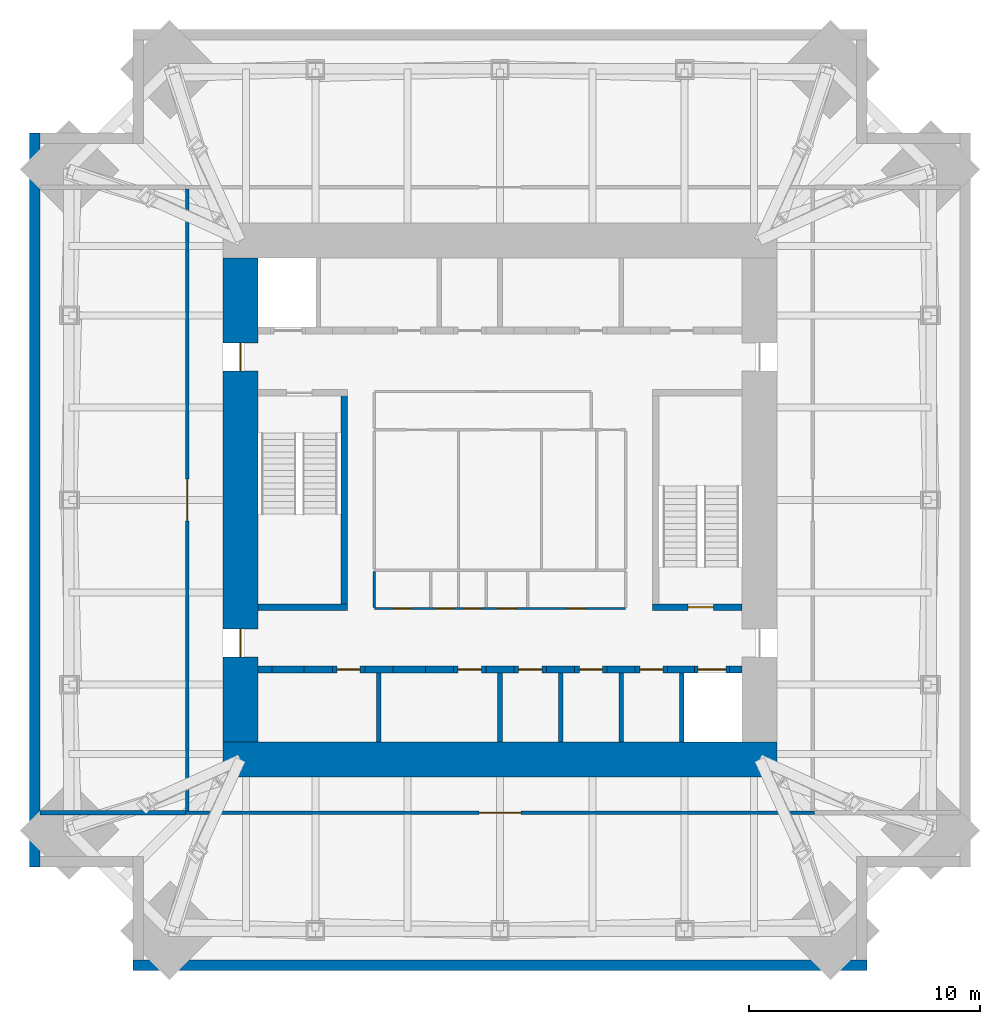
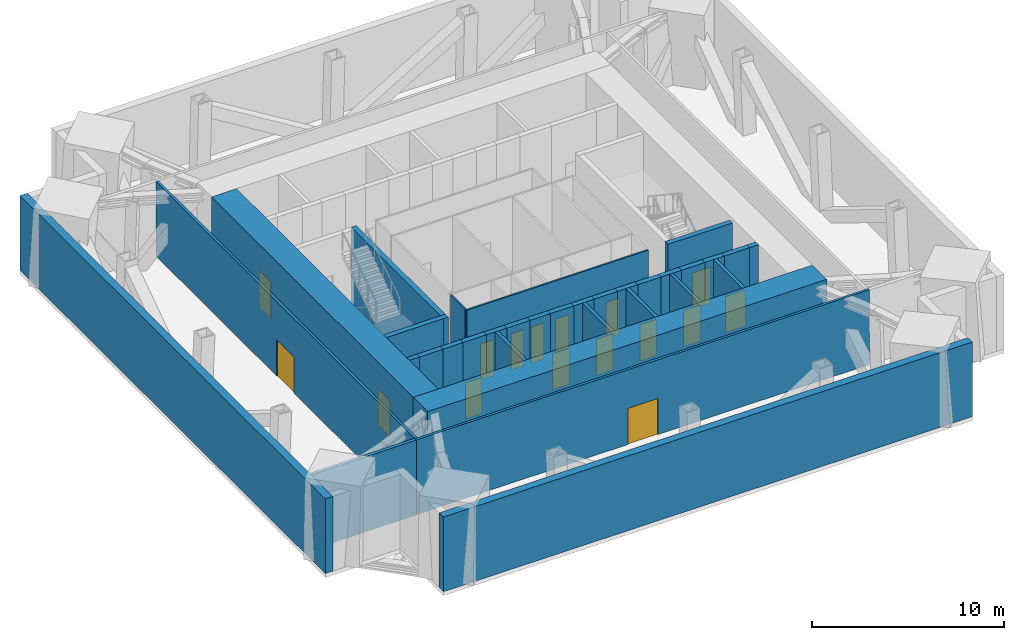
# One storey, part 3 of 6: 34 walls, 16 doors, 16 openings.
"""IFC4 building model written with IfcOpenShell, lengths in metres."""

from ifc_helpers import new_model, si_unit, direction, frame, frame_2d, origin, place, context, subcontext, project, spatial, rectangle, extrude, material, layer, layer_set, type_object, element, fill, save


model = new_model("IFC4")

# Units and contexts
model_context = context("Model", 3, precision=1e-05, world=origin(), true_north=direction((0.0, 1.0)))
body_context = subcontext(model_context, "Body", "Model", "MODEL_VIEW")
ifc_project = project(units=[si_unit("LENGTHUNIT", "METRE"), si_unit("AREAUNIT", "SQUARE_METRE"), si_unit("VOLUMEUNIT", "CUBIC_METRE"), si_unit("PLANEANGLEUNIT", "RADIAN"), si_unit("MASSUNIT", "GRAM", prefix="KILO")], contexts=[model_context])

# Site, building, storey
site_placement = place(None, origin())
site = spatial("IfcSite", under=ifc_project, at=site_placement, CompositionType="ELEMENT")
building_placement = place(site_placement, origin())
building = spatial("IfcBuilding", under=site, at=building_placement, Name="Peilmerk Tower", CompositionType="ELEMENT")
storey_placement = place(building_placement, frame((0.0, 0.0, 302.800048828125)))
storey = spatial("IfcBuildingStorey", under=building, at=storey_placement, Name="L68", CompositionType="ELEMENT", Elevation=302.800048828125)

# Walls
ifc_material_1 = material(Name="Precast concrete C45/55, board-marked finish", Category="concrete")
ifc_layer_1 = layer(ifc_material_1, 0.449951171875)
ifc_layer_set_1 = layer_set([ifc_layer_1], Name="Precast concrete C45/55, board-marked finish")
wall_type_1 = type_object("IfcWallType", Name="EW1 450 precast concrete facade wall, board-marked", PredefinedType="SOLIDWALL", material=ifc_layer_set_1)
for number, where, z_axis, x_axis, name in (
    (1, (-15.89990234375, -20.175048828125, 0.0), (0.0, 0.0, 1.0), (1.0, 0.0, 0.0), "Facade wall S L68"),
    (2, (-20.175048828125, 15.89990234375, 0.0), (0.0, 0.0, 1.0), (0.0, -1.0, 0.0), "Facade wall W L68"),
):
    element("IfcWall", number, at=place(storey_placement, frame(where, z_axis=z_axis, x_axis=x_axis)), inside=storey, type_object=wall_type_1, Name=name, PredefinedType="SOLIDWALL", context=body_context, shape_type="SweptSolid", body=[
        extrude(rectangle(XDim=31.7998046875, YDim=0.449951171875, at=frame_2d((15.89990234375, 0.0))), origin(), (0.0, 0.0, 1.0), 4.75),
    ])

# Wall, opening, door
ifc_material_2 = material(Name="Calcium silicate block", Category="masonry")
ifc_layer_2 = layer(ifc_material_2, 0.14990234375)
ifc_layer_set_2 = layer_set([ifc_layer_2], Name="Calcium silicate block")
wall_type_2 = type_object("IfcWallType", Name="IW1 150 corridor partition, EI 60", PredefinedType="PARTITIONING", material=ifc_layer_set_2)
wall_1_placement = place(storey_placement, frame((13.625, -13.550048828125, 0.0), z_axis=(0.0, 0.0, 1.0), x_axis=(-1.0, 0.0, 0.0)))
wall_1 = element("IfcWall", 3, at=wall_1_placement, inside=storey, type_object=wall_type_2, Name="Corridor wall S L68", PredefinedType="PARTITIONING", context=body_context, shape_type="SweptSolid", body=[
    extrude(rectangle(XDim=27.25, YDim=0.14990234375, at=frame_2d((13.625, 0.0))), origin(), (0.0, 0.0, 1.0), 4.75),
])
opening_1_placement = place(wall_1_placement, frame((12.72509765625, 0.0, 0.0)))
opening_1 = element("IfcOpeningElement", 4, at=opening_1_placement, cuts=wall_1, Name="Opening D2", PredefinedType="OPENING", context=body_context, shape_type="SweptSolid", body=[
    extrude(rectangle(XDim=1.800048828125, YDim=2.300048828125, at=frame_2d((0.89990234375, 1.14990234375))), frame((0.0, 0.0849609375, 0.0), z_axis=(0.0, -1.0, 0.0), x_axis=(1.0, 0.0, 0.0)), (0.0, 0.0, 1.0), 0.169921875),
])
ifc_material_3 = material(Name="Steel door in steel frame", Category="steel")
door_type_1 = type_object("IfcDoorType", Name="D2 1800x2300 double door, EI2 60", OperationType="DOUBLE_DOOR_DOUBLE_SWING", PredefinedType="DOOR", material=ifc_material_3)
door_1_placement = place(opening_1_placement, origin())
door_1 = element("IfcDoor", 5, at=door_1_placement, inside=storey, type_object=door_type_1, Name="Door Plant room L68", OperationType="DOUBLE_DOOR_DOUBLE_SWING", OverallHeight=2.300048828125, OverallWidth=1.800048828125, PredefinedType="DOOR", context=body_context, shape_type="SweptSolid", body=[
    extrude(rectangle(XDim=1.800048828125, YDim=2.300048828125, at=frame_2d((0.89990234375, 1.14990234375))), frame((0.0, 0.02490234375, 0.0), z_axis=(0.0, -1.0, 0.0), x_axis=(1.0, 0.0, 0.0)), (0.0, 0.0, 1.0), 0.050048828125),
])
fill(opening_1, door_1)

wall_2_placement = place(storey_placement, frame((-13.550048828125, 13.47509765625, 0.0), z_axis=(0.0, 0.0, 1.0), x_axis=(0.0, -1.0, 0.0)))
wall_2 = element("IfcWall", 6, at=wall_2_placement, inside=storey, type_object=wall_type_2, Name="Corridor wall W L68", PredefinedType="PARTITIONING", context=body_context, shape_type="SweptSolid", body=[
    extrude(rectangle(XDim=26.9501953125, YDim=0.14990234375, at=frame_2d((13.47509765625, 0.0))), origin(), (0.0, 0.0, 1.0), 4.75),
])
opening_2_placement = place(wall_2_placement, frame((12.574951171875, 0.0, 0.0)))
opening_2 = element("IfcOpeningElement", 7, at=opening_2_placement, cuts=wall_2, Name="Opening D2", PredefinedType="OPENING", context=body_context, shape_type="SweptSolid", body=[
    extrude(rectangle(XDim=1.800048828125, YDim=2.300048828125, at=frame_2d((0.89990234375, 1.14990234375))), frame((0.0, 0.0849609375, 0.0), z_axis=(0.0, -1.0, 0.0), x_axis=(1.0, 0.0, 0.0)), (0.0, 0.0, 1.0), 0.169921875),
])
door_2_placement = place(opening_2_placement, frame((1.800048828125, 0.0, 0.0), z_axis=(0.0, 0.0, 1.0), x_axis=(-1.0, 0.0, 0.0)))
door_2 = element("IfcDoor", 8, at=door_2_placement, inside=storey, type_object=door_type_1, Name="Door Plant room L68", OperationType="DOUBLE_DOOR_DOUBLE_SWING", OverallHeight=2.300048828125, OverallWidth=1.800048828125, PredefinedType="DOOR", context=body_context, shape_type="SweptSolid", body=[
    extrude(rectangle(XDim=1.800048828125, YDim=2.300048828125, at=frame_2d((0.89990234375, 1.14990234375))), frame((0.0, 0.02490234375, 0.0), z_axis=(0.0, -1.0, 0.0), x_axis=(1.0, 0.0, 0.0)), (0.0, 0.0, 1.0), 0.050048828125),
])
fill(opening_2, door_2)

# Walls
ifc_layer_3 = layer(ifc_material_2, 0.199951171875)
ifc_layer_set_3 = layer_set([ifc_layer_3], Name="Calcium silicate block")
wall_type_3 = type_object("IfcWallType", Name="IW2 200 room separating wall, EI 120", PredefinedType="PARTITIONING", material=ifc_layer_set_3)
wall_3_placement = place(storey_placement, frame((-13.625, -13.550048828125, 0.0), z_axis=(0.0, 0.0, 1.0), x_axis=(-1.0, 0.0, 0.0)))
element("IfcWall", 9, at=wall_3_placement, inside=storey, type_object=wall_type_3, Name="Room separating wall SW L68", PredefinedType="PARTITIONING", context=body_context, shape_type="SweptSolid", body=[
    extrude(rectangle(XDim=6.324951171875, YDim=0.199951171875, at=frame_2d((3.16259765625, 0.0))), origin(), (0.0, 0.0, 1.0), 4.75),
])
ifc_material_4 = material(Name="Concrete C35/45", Category="concrete")
ifc_layer_4 = layer(ifc_material_4, 0.300048828125)
ifc_layer_set_4 = layer_set([ifc_layer_4], Name="Concrete C35/45")
wall_type_4 = type_object("IfcWallType", Name="IW3 300 concrete stair enclosure wall, EI 120", PredefinedType="SOLIDWALL", material=ifc_layer_set_4)
wall_4_placement = place(storey_placement, frame((-6.75, -4.800048828125, 0.0), z_axis=(0.0, 0.0, 1.0), x_axis=(0.0, 1.0, 0.0)))
element("IfcWall", 10, at=wall_4_placement, inside=storey, type_object=wall_type_4, Name="Stair 1 enclosure L68", PredefinedType="SOLIDWALL", context=body_context, shape_type="SweptSolid", body=[
    extrude(rectangle(XDim=9.60009765625, YDim=0.300048828125, at=frame_2d((4.800048828125, 0.0))), origin(), (0.0, 0.0, 1.0), 4.75),
])
wall_5_placement = place(storey_placement, frame((-6.60009765625, -4.64990234375, 0.0), z_axis=(0.0, 0.0, 1.0), x_axis=(-1.0, 0.0, 0.0)))
element("IfcWall", 11, at=wall_5_placement, inside=storey, type_object=wall_type_4, Name="Stair 1 enclosure L68", PredefinedType="SOLIDWALL", context=body_context, shape_type="SweptSolid", body=[
    extrude(rectangle(XDim=3.89990234375, YDim=0.300048828125, at=frame_2d((1.949951171875, 0.0))), origin(), (0.0, 0.0, 1.0), 4.75),
])

# Wall, opening, door
wall_6_placement = place(storey_placement, frame((10.5, -4.64990234375, 0.0), z_axis=(0.0, 0.0, 1.0), x_axis=(-1.0, 0.0, 0.0)))
wall_6 = element("IfcWall", 12, at=wall_6_placement, inside=storey, type_object=wall_type_4, Name="Stair 2 enclosure L68", PredefinedType="SOLIDWALL", context=body_context, shape_type="SweptSolid", body=[
    extrude(rectangle(XDim=3.89990234375, YDim=0.300048828125, at=frame_2d((1.949951171875, 0.0))), origin(), (0.0, 0.0, 1.0), 4.75),
])
opening_3_placement = place(wall_6_placement, frame((1.25, 0.0, 0.0)))
opening_3 = element("IfcOpeningElement", 13, at=opening_3_placement, cuts=wall_6, Name="Opening D4", PredefinedType="OPENING", context=body_context, shape_type="SweptSolid", body=[
    extrude(rectangle(XDim=1.10009765625, YDim=2.300048828125, at=frame_2d((0.550048828125, 1.14990234375))), frame((0.0, 0.159912109375, 0.0), z_axis=(0.0, -1.0, 0.0), x_axis=(1.0, 0.0, 0.0)), (0.0, 0.0, 1.0), 0.320068359375),
])
door_type_2 = type_object("IfcDoorType", Name="D4 1100x2300 stair door, EI2 60", OperationType="SINGLE_SWING_RIGHT", PredefinedType="DOOR", material=ifc_material_3)
door_3_placement = place(opening_3_placement, frame((1.10009765625, 0.0, 0.0), z_axis=(0.0, 0.0, 1.0), x_axis=(-1.0, 0.0, 0.0)))
door_3 = element("IfcDoor", 14, at=door_3_placement, inside=storey, type_object=door_type_2, Name="Stair 2 door L68", OperationType="SINGLE_SWING_RIGHT", OverallHeight=2.300048828125, OverallWidth=1.10009765625, PredefinedType="DOOR", context=body_context, shape_type="SweptSolid", body=[
    extrude(rectangle(XDim=1.10009765625, YDim=2.300048828125, at=frame_2d((0.550048828125, 1.14990234375))), frame((0.0, 0.02490234375, 0.0), z_axis=(0.0, -1.0, 0.0), x_axis=(1.0, 0.0, 0.0)), (0.0, 0.0, 1.0), 0.050048828125),
])
fill(opening_3, door_3)

# Wall, openings, doors
ifc_material_5 = material(Name="Calcium silicate board on steel studs", Category="steel")
ifc_layer_5 = layer(ifc_material_5, 0.10009765625)
ifc_layer_set_5 = layer_set([ifc_layer_5], Name="Calcium silicate board on steel studs")
wall_type_5 = type_object("IfcWallType", Name="IW5 100 riser enclosure wall, EI 60", PredefinedType="PARTITIONING", material=ifc_layer_set_5)
wall_7_placement = place(storey_placement, frame((5.449951171875, -4.699951171875, 0.0), z_axis=(0.0, 0.0, 1.0), x_axis=(-1.0, 0.0, 0.0)))
wall_7 = element("IfcWall", 15, at=wall_7_placement, inside=storey, type_object=wall_type_5, Name="Riser wall L68", PredefinedType="PARTITIONING", context=body_context, shape_type="SweptSolid", body=[
    extrude(rectangle(XDim=10.89990234375, YDim=0.10009765625, at=frame_2d((5.449951171875, 0.0))), origin(), (0.0, 0.0, 1.0), 4.75),
])
opening_4_placement = place(wall_7_placement, frame((9.27490234375, 0.0, 0.0)))
opening_4 = element("IfcOpeningElement", 16, at=opening_4_placement, cuts=wall_7, Name="Opening D7", PredefinedType="OPENING", context=body_context, shape_type="SweptSolid", body=[
    extrude(rectangle(XDim=0.800048828125, YDim=2.300048828125, at=frame_2d((0.39990234375, 1.14990234375))), frame((0.0, 0.06005859375, 0.0), z_axis=(0.0, -1.0, 0.0), x_axis=(1.0, 0.0, 0.0)), (0.0, 0.0, 1.0), 0.1201171875),
])
opening_5_placement = place(wall_7_placement, frame((7.449951171875, 0.0, 0.0)))
opening_5 = element("IfcOpeningElement", 17, at=opening_5_placement, cuts=wall_7, Name="Opening D7", PredefinedType="OPENING", context=body_context, shape_type="SweptSolid", body=[
    extrude(rectangle(XDim=0.800048828125, YDim=2.300048828125, at=frame_2d((0.39990234375, 1.14990234375))), frame((0.0, 0.06005859375, 0.0), z_axis=(0.0, -1.0, 0.0), x_axis=(1.0, 0.0, 0.0)), (0.0, 0.0, 1.0), 0.1201171875),
])
opening_6_placement = place(wall_7_placement, frame((6.25, 0.0, 0.0)))
opening_6 = element("IfcOpeningElement", 18, at=opening_6_placement, cuts=wall_7, Name="Opening D7", PredefinedType="OPENING", context=body_context, shape_type="SweptSolid", body=[
    extrude(rectangle(XDim=0.800048828125, YDim=2.300048828125, at=frame_2d((0.39990234375, 1.14990234375))), frame((0.0, 0.06005859375, 0.0), z_axis=(0.0, -1.0, 0.0), x_axis=(1.0, 0.0, 0.0)), (0.0, 0.0, 1.0), 0.1201171875),
])
opening_7_placement = place(wall_7_placement, frame((4.75, 0.0, 0.0)))
opening_7 = element("IfcOpeningElement", 19, at=opening_7_placement, cuts=wall_7, Name="Opening D7", PredefinedType="OPENING", context=body_context, shape_type="SweptSolid", body=[
    extrude(rectangle(XDim=0.800048828125, YDim=2.300048828125, at=frame_2d((0.39990234375, 1.14990234375))), frame((0.0, 0.06005859375, 0.0), z_axis=(0.0, -1.0, 0.0), x_axis=(1.0, 0.0, 0.0)), (0.0, 0.0, 1.0), 0.1201171875),
])
opening_8_placement = place(wall_7_placement, frame((1.72509765625, 0.0, 0.0)))
opening_8 = element("IfcOpeningElement", 20, at=opening_8_placement, cuts=wall_7, Name="Opening D7", PredefinedType="OPENING", context=body_context, shape_type="SweptSolid", body=[
    extrude(rectangle(XDim=0.800048828125, YDim=2.300048828125, at=frame_2d((0.39990234375, 1.14990234375))), frame((0.0, 0.06005859375, 0.0), z_axis=(0.0, -1.0, 0.0), x_axis=(1.0, 0.0, 0.0)), (0.0, 0.0, 1.0), 0.1201171875),
])
door_type_3 = type_object("IfcDoorType", Name="D7 800x2300 riser access door, EI2 60", OperationType="SINGLE_SWING_RIGHT", PredefinedType="DOOR", material=ifc_material_3)
door_4_placement = place(opening_4_placement, frame((0.800048828125, 0.0, 0.0), z_axis=(0.0, 0.0, 1.0), x_axis=(-1.0, 0.0, 0.0)))
door_4 = element("IfcDoor", 21, at=door_4_placement, inside=storey, type_object=door_type_3, Name="Electrical room door L68", OperationType="SINGLE_SWING_RIGHT", OverallHeight=2.300048828125, OverallWidth=0.800048828125, PredefinedType="DOOR", context=body_context, shape_type="SweptSolid", body=[
    extrude(rectangle(XDim=0.800048828125, YDim=2.300048828125, at=frame_2d((0.39990234375, 1.14990234375))), frame((0.0, 0.02490234375, 0.0), z_axis=(0.0, -1.0, 0.0), x_axis=(1.0, 0.0, 0.0)), (0.0, 0.0, 1.0), 0.050048828125),
])
fill(opening_4, door_4)
door_5_placement = place(opening_5_placement, frame((0.800048828125, 0.0, 0.0), z_axis=(0.0, 0.0, 1.0), x_axis=(-1.0, 0.0, 0.0)))
door_5 = element("IfcDoor", 22, at=door_5_placement, inside=storey, type_object=door_type_3, Name="Electrical riser door L68", OperationType="SINGLE_SWING_RIGHT", OverallHeight=2.300048828125, OverallWidth=0.800048828125, PredefinedType="DOOR", context=body_context, shape_type="SweptSolid", body=[
    extrude(rectangle(XDim=0.800048828125, YDim=2.300048828125, at=frame_2d((0.39990234375, 1.14990234375))), frame((0.0, 0.02490234375, 0.0), z_axis=(0.0, -1.0, 0.0), x_axis=(1.0, 0.0, 0.0)), (0.0, 0.0, 1.0), 0.050048828125),
])
fill(opening_5, door_5)
door_6_placement = place(opening_6_placement, frame((0.800048828125, 0.0, 0.0), z_axis=(0.0, 0.0, 1.0), x_axis=(-1.0, 0.0, 0.0)))
door_6 = element("IfcDoor", 23, at=door_6_placement, inside=storey, type_object=door_type_3, Name="Data riser door L68", OperationType="SINGLE_SWING_RIGHT", OverallHeight=2.300048828125, OverallWidth=0.800048828125, PredefinedType="DOOR", context=body_context, shape_type="SweptSolid", body=[
    extrude(rectangle(XDim=0.800048828125, YDim=2.300048828125, at=frame_2d((0.39990234375, 1.14990234375))), frame((0.0, 0.02490234375, 0.0), z_axis=(0.0, -1.0, 0.0), x_axis=(1.0, 0.0, 0.0)), (0.0, 0.0, 1.0), 0.050048828125),
])
fill(opening_6, door_6)
door_7_placement = place(opening_7_placement, frame((0.800048828125, 0.0, 0.0), z_axis=(0.0, 0.0, 1.0), x_axis=(-1.0, 0.0, 0.0)))
door_7 = element("IfcDoor", 24, at=door_7_placement, inside=storey, type_object=door_type_3, Name="Cleaner's cupboard door L68", OperationType="SINGLE_SWING_RIGHT", OverallHeight=2.300048828125, OverallWidth=0.800048828125, PredefinedType="DOOR", context=body_context, shape_type="SweptSolid", body=[
    extrude(rectangle(XDim=0.800048828125, YDim=2.300048828125, at=frame_2d((0.39990234375, 1.14990234375))), frame((0.0, 0.02490234375, 0.0), z_axis=(0.0, -1.0, 0.0), x_axis=(1.0, 0.0, 0.0)), (0.0, 0.0, 1.0), 0.050048828125),
])
fill(opening_7, door_7)
door_8_placement = place(opening_8_placement, frame((0.800048828125, 0.0, 0.0), z_axis=(0.0, 0.0, 1.0), x_axis=(-1.0, 0.0, 0.0)))
door_8 = element("IfcDoor", 25, at=door_8_placement, inside=storey, type_object=door_type_3, Name="Comms room door L68", OperationType="SINGLE_SWING_RIGHT", OverallHeight=2.300048828125, OverallWidth=0.800048828125, PredefinedType="DOOR", context=body_context, shape_type="SweptSolid", body=[
    extrude(rectangle(XDim=0.800048828125, YDim=2.300048828125, at=frame_2d((0.39990234375, 1.14990234375))), frame((0.0, 0.02490234375, 0.0), z_axis=(0.0, -1.0, 0.0), x_axis=(1.0, 0.0, 0.0)), (0.0, 0.0, 1.0), 0.050048828125),
])
fill(opening_8, door_8)

# Walls
wall_8_placement = place(storey_placement, frame((-5.449951171875, -3.10009765625, 0.0), z_axis=(0.0, 0.0, 1.0), x_axis=(0.0, -1.0, 0.0)))
element("IfcWall", 26, at=wall_8_placement, inside=storey, type_object=wall_type_5, Name="Riser wall L68", PredefinedType="PARTITIONING", context=body_context, shape_type="SweptSolid", body=[
    extrude(rectangle(XDim=1.5498046875, YDim=0.10009765625, at=frame_2d((0.77490234375, 0.0))), origin(), (0.0, 0.0, 1.0), 4.75),
])
ifc_layer_6 = layer(ifc_material_2, 0.199951171875)
ifc_layer_set_6 = layer_set([ifc_layer_6], Name="Calcium silicate block")
wall_type_6 = type_object("IfcWallType", Name="SH1 200 shaft dividing wall, EI 120", PredefinedType="PARTITIONING", material=ifc_layer_set_6)
for number, where, z_axis, x_axis, name in (
    (27, (-5.25, -10.5, 0.0), (0.0, 0.0, 1.0), (0.0, 1.0, 0.0), "Shaft wall S C3 L68"),
    (28, (0.0, -10.5, 0.0), (0.0, 0.0, 1.0), (0.0, 1.0, 0.0), "Shaft wall S C1 L68"),
    (29, (2.625, -10.5, 0.0), (0.0, 0.0, 1.0), (0.0, 1.0, 0.0), "Shaft wall S B3 L68"),
    (30, (5.25, -10.5, 0.0), (0.0, 0.0, 1.0), (0.0, 1.0, 0.0), "Shaft wall S B2 L68"),
    (31, (7.875, -10.5, 0.0), (0.0, 0.0, 1.0), (0.0, 1.0, 0.0), "Shaft wall S B1 L68"),
):
    element("IfcWall", number, at=place(storey_placement, frame(where, z_axis=z_axis, x_axis=x_axis)), inside=storey, type_object=wall_type_6, Name=name, PredefinedType="PARTITIONING", context=body_context, shape_type="SweptSolid", body=[
        extrude(rectangle(XDim=3.0, YDim=0.199951171875, at=frame_2d((1.5, 0.0))), origin(), (0.0, 0.0, 1.0), 5.0),
    ])
ifc_layer_7 = layer(ifc_material_2, 0.300048828125)
ifc_layer_set_7 = layer_set([ifc_layer_7], Name="Calcium silicate block")
wall_type_7 = type_object("IfcWallType", Name="SH2 300 lift landing door panel, EI 120", PredefinedType="PARTITIONING", material=ifc_layer_set_7)
wall_9_placement = place(storey_placement, frame((-9.887451171875, -7.35009765625, 0.0), z_axis=(0.0, 0.0, 1.0), x_axis=(1.0, 0.0, 0.0)))
element("IfcWall", 32, at=wall_9_placement, inside=storey, type_object=wall_type_7, Name="Lift door panel S C4 L68", PredefinedType="PARTITIONING", context=body_context, shape_type="SweptSolid", body=[
    extrude(rectangle(XDim=1.39990234375, YDim=0.300048828125, at=frame_2d((0.699951171875, 0.0))), origin(), (0.0, 0.0, 1.0), 5.0),
])

# Wall, opening, door
wall_10_placement = place(storey_placement, frame((-7.262451171875, -7.35009765625, 0.0), z_axis=(0.0, 0.0, 1.0), x_axis=(1.0, 0.0, 0.0)))
wall_10 = element("IfcWall", 33, at=wall_10_placement, inside=storey, type_object=wall_type_7, Name="Lift door panel S C3 L68", PredefinedType="PARTITIONING", context=body_context, shape_type="SweptSolid", body=[
    extrude(rectangle(XDim=1.39990234375, YDim=0.300048828125, at=frame_2d((0.699951171875, 0.0))), origin(), (0.0, 0.0, 1.0), 5.0),
])
opening_9_placement = place(wall_10_placement, frame((0.199951171875, 0.0, 0.0)))
opening_9 = element("IfcOpeningElement", 34, at=opening_9_placement, cuts=wall_10, Name="Opening D10", PredefinedType="OPENING", context=body_context, shape_type="SweptSolid", body=[
    extrude(rectangle(XDim=1.0, YDim=2.300048828125, at=frame_2d((0.5, 1.14990234375))), frame((0.0, 0.159912109375, 0.0), z_axis=(0.0, -1.0, 0.0), x_axis=(1.0, 0.0, 0.0)), (0.0, 0.0, 1.0), 0.320068359375),
])
door_type_4 = type_object("IfcDoorType", Name="D10 1000x2300 core room door, EI2 60", OperationType="SINGLE_SWING_RIGHT", PredefinedType="DOOR", material=ifc_material_3)
door_9_placement = place(opening_9_placement, frame((1.0, 0.0, 0.0), z_axis=(0.0, 0.0, 1.0), x_axis=(-1.0, 0.0, 0.0)))
door_9 = element("IfcDoor", 35, at=door_9_placement, inside=storey, type_object=door_type_4, Name="Door Plant room L68", OperationType="SINGLE_SWING_RIGHT", OverallHeight=2.300048828125, OverallWidth=1.0, PredefinedType="DOOR", context=body_context, shape_type="SweptSolid", body=[
    extrude(rectangle(XDim=1.0, YDim=2.300048828125, at=frame_2d((0.5, 1.14990234375))), frame((0.0, 0.02490234375, 0.0), z_axis=(0.0, -1.0, 0.0), x_axis=(1.0, 0.0, 0.0)), (0.0, 0.0, 1.0), 0.050048828125),
])
fill(opening_9, door_9)

# Wall
wall_11_placement = place(storey_placement, frame((-4.637451171875, -7.35009765625, 0.0), z_axis=(0.0, 0.0, 1.0), x_axis=(1.0, 0.0, 0.0)))
element("IfcWall", 36, at=wall_11_placement, inside=storey, type_object=wall_type_7, Name="Lift door panel S C2 L68", PredefinedType="PARTITIONING", context=body_context, shape_type="SweptSolid", body=[
    extrude(rectangle(XDim=1.39990234375, YDim=0.300048828125, at=frame_2d((0.699951171875, 0.0))), origin(), (0.0, 0.0, 1.0), 5.0),
])

# Wall, opening, door
wall_12_placement = place(storey_placement, frame((-2.012451171875, -7.35009765625, 0.0), z_axis=(0.0, 0.0, 1.0), x_axis=(1.0, 0.0, 0.0)))
wall_12 = element("IfcWall", 37, at=wall_12_placement, inside=storey, type_object=wall_type_7, Name="Lift door panel S C1 L68", PredefinedType="PARTITIONING", context=body_context, shape_type="SweptSolid", body=[
    extrude(rectangle(XDim=1.39990234375, YDim=0.300048828125, at=frame_2d((0.699951171875, 0.0))), origin(), (0.0, 0.0, 1.0), 5.0),
])
opening_10_placement = place(wall_12_placement, frame((0.199951171875, 0.0, 0.0)))
opening_10 = element("IfcOpeningElement", 38, at=opening_10_placement, cuts=wall_12, Name="Opening D10", PredefinedType="OPENING", context=body_context, shape_type="SweptSolid", body=[
    extrude(rectangle(XDim=1.0, YDim=2.300048828125, at=frame_2d((0.5, 1.14990234375))), frame((0.0, 0.159912109375, 0.0), z_axis=(0.0, -1.0, 0.0), x_axis=(1.0, 0.0, 0.0)), (0.0, 0.0, 1.0), 0.320068359375),
])
door_10_placement = place(opening_10_placement, frame((1.0, 0.0, 0.0), z_axis=(0.0, 0.0, 1.0), x_axis=(-1.0, 0.0, 0.0)))
door_10 = element("IfcDoor", 39, at=door_10_placement, inside=storey, type_object=door_type_4, Name="Door Comms plant room L68", OperationType="SINGLE_SWING_RIGHT", OverallHeight=2.300048828125, OverallWidth=1.0, PredefinedType="DOOR", context=body_context, shape_type="SweptSolid", body=[
    extrude(rectangle(XDim=1.0, YDim=2.300048828125, at=frame_2d((0.5, 1.14990234375))), frame((0.0, 0.02490234375, 0.0), z_axis=(0.0, -1.0, 0.0), x_axis=(1.0, 0.0, 0.0)), (0.0, 0.0, 1.0), 0.050048828125),
])
fill(opening_10, door_10)

wall_13_placement = place(storey_placement, frame((0.612548828125, -7.35009765625, 0.0), z_axis=(0.0, 0.0, 1.0), x_axis=(1.0, 0.0, 0.0)))
wall_13 = element("IfcWall", 40, at=wall_13_placement, inside=storey, type_object=wall_type_7, Name="Lift door panel S B3 L68", PredefinedType="PARTITIONING", context=body_context, shape_type="SweptSolid", body=[
    extrude(rectangle(XDim=1.39990234375, YDim=0.300048828125, at=frame_2d((0.699951171875, 0.0))), origin(), (0.0, 0.0, 1.0), 5.0),
])
opening_11_placement = place(wall_13_placement, frame((0.199951171875, 0.0, 0.0)))
opening_11 = element("IfcOpeningElement", 41, at=opening_11_placement, cuts=wall_13, Name="Opening D10", PredefinedType="OPENING", context=body_context, shape_type="SweptSolid", body=[
    extrude(rectangle(XDim=1.0, YDim=2.300048828125, at=frame_2d((0.5, 1.14990234375))), frame((0.0, 0.159912109375, 0.0), z_axis=(0.0, -1.0, 0.0), x_axis=(1.0, 0.0, 0.0)), (0.0, 0.0, 1.0), 0.320068359375),
])
door_11_placement = place(opening_11_placement, frame((1.0, 0.0, 0.0), z_axis=(0.0, 0.0, 1.0), x_axis=(-1.0, 0.0, 0.0)))
door_11 = element("IfcDoor", 42, at=door_11_placement, inside=storey, type_object=door_type_4, Name="Door Ventilation plant room L68", OperationType="SINGLE_SWING_RIGHT", OverallHeight=2.300048828125, OverallWidth=1.0, PredefinedType="DOOR", context=body_context, shape_type="SweptSolid", body=[
    extrude(rectangle(XDim=1.0, YDim=2.300048828125, at=frame_2d((0.5, 1.14990234375))), frame((0.0, 0.02490234375, 0.0), z_axis=(0.0, -1.0, 0.0), x_axis=(1.0, 0.0, 0.0)), (0.0, 0.0, 1.0), 0.050048828125),
])
fill(opening_11, door_11)

wall_14_placement = place(storey_placement, frame((3.237548828125, -7.35009765625, 0.0), z_axis=(0.0, 0.0, 1.0), x_axis=(1.0, 0.0, 0.0)))
wall_14 = element("IfcWall", 43, at=wall_14_placement, inside=storey, type_object=wall_type_7, Name="Lift door panel S B2 L68", PredefinedType="PARTITIONING", context=body_context, shape_type="SweptSolid", body=[
    extrude(rectangle(XDim=1.39990234375, YDim=0.300048828125, at=frame_2d((0.699951171875, 0.0))), origin(), (0.0, 0.0, 1.0), 5.0),
])
opening_12_placement = place(wall_14_placement, frame((0.199951171875, 0.0, 0.0)))
opening_12 = element("IfcOpeningElement", 44, at=opening_12_placement, cuts=wall_14, Name="Opening D10", PredefinedType="OPENING", context=body_context, shape_type="SweptSolid", body=[
    extrude(rectangle(XDim=1.0, YDim=2.300048828125, at=frame_2d((0.5, 1.14990234375))), frame((0.0, 0.159912109375, 0.0), z_axis=(0.0, -1.0, 0.0), x_axis=(1.0, 0.0, 0.0)), (0.0, 0.0, 1.0), 0.320068359375),
])
door_12_placement = place(opening_12_placement, frame((1.0, 0.0, 0.0), z_axis=(0.0, 0.0, 1.0), x_axis=(-1.0, 0.0, 0.0)))
door_12 = element("IfcDoor", 45, at=door_12_placement, inside=storey, type_object=door_type_4, Name="Door Chilled water plant room L68", OperationType="SINGLE_SWING_RIGHT", OverallHeight=2.300048828125, OverallWidth=1.0, PredefinedType="DOOR", context=body_context, shape_type="SweptSolid", body=[
    extrude(rectangle(XDim=1.0, YDim=2.300048828125, at=frame_2d((0.5, 1.14990234375))), frame((0.0, 0.02490234375, 0.0), z_axis=(0.0, -1.0, 0.0), x_axis=(1.0, 0.0, 0.0)), (0.0, 0.0, 1.0), 0.050048828125),
])
fill(opening_12, door_12)

wall_15_placement = place(storey_placement, frame((5.862548828125, -7.35009765625, 0.0), z_axis=(0.0, 0.0, 1.0), x_axis=(1.0, 0.0, 0.0)))
wall_15 = element("IfcWall", 46, at=wall_15_placement, inside=storey, type_object=wall_type_7, Name="Lift door panel S B1 L68", PredefinedType="PARTITIONING", context=body_context, shape_type="SweptSolid", body=[
    extrude(rectangle(XDim=1.39990234375, YDim=0.300048828125, at=frame_2d((0.699951171875, 0.0))), origin(), (0.0, 0.0, 1.0), 5.0),
])
opening_13_placement = place(wall_15_placement, frame((0.199951171875, 0.0, 0.0)))
opening_13 = element("IfcOpeningElement", 47, at=opening_13_placement, cuts=wall_15, Name="Opening D10", PredefinedType="OPENING", context=body_context, shape_type="SweptSolid", body=[
    extrude(rectangle(XDim=1.0, YDim=2.300048828125, at=frame_2d((0.5, 1.14990234375))), frame((0.0, 0.159912109375, 0.0), z_axis=(0.0, -1.0, 0.0), x_axis=(1.0, 0.0, 0.0)), (0.0, 0.0, 1.0), 0.320068359375),
])
door_13_placement = place(opening_13_placement, frame((1.0, 0.0, 0.0), z_axis=(0.0, 0.0, 1.0), x_axis=(-1.0, 0.0, 0.0)))
door_13 = element("IfcDoor", 48, at=door_13_placement, inside=storey, type_object=door_type_4, Name="Door Booster pump room L68", OperationType="SINGLE_SWING_RIGHT", OverallHeight=2.300048828125, OverallWidth=1.0, PredefinedType="DOOR", context=body_context, shape_type="SweptSolid", body=[
    extrude(rectangle(XDim=1.0, YDim=2.300048828125, at=frame_2d((0.5, 1.14990234375))), frame((0.0, 0.02490234375, 0.0), z_axis=(0.0, -1.0, 0.0), x_axis=(1.0, 0.0, 0.0)), (0.0, 0.0, 1.0), 0.050048828125),
])
fill(opening_13, door_13)

wall_16_placement = place(storey_placement, frame((8.4375, -7.35009765625, 0.0), z_axis=(0.0, 0.0, 1.0), x_axis=(1.0, 0.0, 0.0)))
wall_16 = element("IfcWall", 49, at=wall_16_placement, inside=storey, type_object=wall_type_7, Name="Lift door panel S FL2 L68", PredefinedType="PARTITIONING", context=body_context, shape_type="SweptSolid", body=[
    extrude(rectangle(XDim=1.5, YDim=0.300048828125, at=frame_2d((0.75, 0.0))), origin(), (0.0, 0.0, 1.0), 5.0),
])
opening_14_placement = place(wall_16_placement, frame((0.14990234375, 0.0, 0.0)))
opening_14 = element("IfcOpeningElement", 50, at=opening_14_placement, cuts=wall_16, Name="Opening LD2", PredefinedType="OPENING", context=body_context, shape_type="SweptSolid", body=[
    extrude(rectangle(XDim=1.199951171875, YDim=2.300048828125, at=frame_2d((0.60009765625, 1.14990234375))), frame((0.0, 0.159912109375, 0.0), z_axis=(0.0, -1.0, 0.0), x_axis=(1.0, 0.0, 0.0)), (0.0, 0.0, 1.0), 0.320068359375),
])
ifc_material_6 = material(Name="Stainless steel landing door", Category="steel")
door_type_5 = type_object("IfcDoorType", Name="LD2 1200x2300 lift landing door, sliding, EI2 60", OperationType="SLIDING_TO_LEFT", PredefinedType="DOOR", material=ifc_material_6)
door_14_placement = place(opening_14_placement, origin())
door_14 = element("IfcDoor", 51, at=door_14_placement, inside=storey, type_object=door_type_5, Name="Lift landing door FL2 L68", OperationType="SLIDING_TO_LEFT", OverallHeight=2.300048828125, OverallWidth=1.199951171875, PredefinedType="DOOR", context=body_context, shape_type="SweptSolid", body=[
    extrude(rectangle(XDim=1.199951171875, YDim=2.300048828125, at=frame_2d((0.60009765625, 1.14990234375))), frame((0.0, 0.02490234375, 0.0), z_axis=(0.0, -1.0, 0.0), x_axis=(1.0, 0.0, 0.0)), (0.0, 0.0, 1.0), 0.050048828125),
])
fill(opening_14, door_14)

# Wall
ifc_material_7 = material(Name="Concrete C55/67", Category="concrete")
ifc_layer_8 = layer(ifc_material_7, 1.5)
ifc_layer_set_8 = layer_set([ifc_layer_8], Name="Concrete C55/67")
wall_type_8 = type_object("IfcWallType", Name="SW1 1500 core wall", PredefinedType="SHEAR", material=ifc_layer_set_8)
wall_17_placement = place(storey_placement, frame((12.0, -11.25, 0.0), z_axis=(0.0, 0.0, 1.0), x_axis=(-1.0, 0.0, 0.0)))
element("IfcWall", 52, at=wall_17_placement, inside=storey, type_object=wall_type_8, Name="Core wall S L68", PredefinedType="SHEAR", context=body_context, shape_type="SweptSolid", body=[
    extrude(rectangle(XDim=24.0, YDim=1.5, at=frame_2d((12.0, 0.0))), origin(), (0.0, 0.0, 1.0), 5.0),
])

# Wall, openings, doors
wall_18_placement = place(storey_placement, frame((-11.25, -10.5, 0.0), z_axis=(0.0, 0.0, 1.0), x_axis=(0.0, 1.0, 0.0)))
wall_18 = element("IfcWall", 53, at=wall_18_placement, inside=storey, type_object=wall_type_8, Name="Core wall W L68", PredefinedType="SHEAR", context=body_context, shape_type="SweptSolid", body=[
    extrude(rectangle(XDim=21.0, YDim=1.5, at=frame_2d((10.5, 0.0))), origin(), (0.0, 0.0, 1.0), 5.0),
])
opening_15_placement = place(wall_18_placement, frame((16.10009765625, 0.0, 0.0)))
opening_15 = element("IfcOpeningElement", 54, at=opening_15_placement, cuts=wall_18, Name="Opening D3", PredefinedType="OPENING", context=body_context, shape_type="SweptSolid", body=[
    extrude(rectangle(XDim=1.199951171875, YDim=2.300048828125, at=frame_2d((0.60009765625, 1.14990234375))), frame((0.0, 0.760009765625, 0.0), z_axis=(0.0, -1.0, 0.0), x_axis=(1.0, 0.0, 0.0)), (0.0, 0.0, 1.0), 1.52001953125),
])
opening_16_placement = place(wall_18_placement, frame((3.699951171875, 0.0, 0.0)))
opening_16 = element("IfcOpeningElement", 55, at=opening_16_placement, cuts=wall_18, Name="Opening D3", PredefinedType="OPENING", context=body_context, shape_type="SweptSolid", body=[
    extrude(rectangle(XDim=1.199951171875, YDim=2.300048828125, at=frame_2d((0.60009765625, 1.14990234375))), frame((0.0, 0.760009765625, 0.0), z_axis=(0.0, -1.0, 0.0), x_axis=(1.0, 0.0, 0.0)), (0.0, 0.0, 1.0), 1.52001953125),
])
door_type_6 = type_object("IfcDoorType", Name="D3 1200x2300 core door, EI2 60", OperationType="SINGLE_SWING_LEFT", PredefinedType="DOOR", material=ifc_material_3)
door_15_placement = place(opening_15_placement, frame((1.199951171875, 0.0, 0.0), z_axis=(0.0, 0.0, 1.0), x_axis=(-1.0, 0.0, 0.0)))
door_15 = element("IfcDoor", 56, at=door_15_placement, inside=storey, type_object=door_type_6, Name="Core door L68", OperationType="SINGLE_SWING_LEFT", OverallHeight=2.300048828125, OverallWidth=1.199951171875, PredefinedType="DOOR", context=body_context, shape_type="SweptSolid", body=[
    extrude(rectangle(XDim=1.199951171875, YDim=2.300048828125, at=frame_2d((0.60009765625, 1.14990234375))), frame((0.0, 0.02490234375, 0.0), z_axis=(0.0, -1.0, 0.0), x_axis=(1.0, 0.0, 0.0)), (0.0, 0.0, 1.0), 0.050048828125),
])
fill(opening_15, door_15)
door_16_placement = place(opening_16_placement, frame((1.199951171875, 0.0, 0.0), z_axis=(0.0, 0.0, 1.0), x_axis=(-1.0, 0.0, 0.0)))
door_16 = element("IfcDoor", 57, at=door_16_placement, inside=storey, type_object=door_type_6, Name="Core door L68", OperationType="SINGLE_SWING_LEFT", OverallHeight=2.300048828125, OverallWidth=1.199951171875, PredefinedType="DOOR", context=body_context, shape_type="SweptSolid", body=[
    extrude(rectangle(XDim=1.199951171875, YDim=2.300048828125, at=frame_2d((0.60009765625, 1.14990234375))), frame((0.0, 0.02490234375, 0.0), z_axis=(0.0, -1.0, 0.0), x_axis=(1.0, 0.0, 0.0)), (0.0, 0.0, 1.0), 0.050048828125),
])
fill(opening_16, door_16)

# Walls
ifc_layer_9 = layer(ifc_material_7, 0.300048828125)
ifc_layer_set_9 = layer_set([ifc_layer_9], Name="Concrete C55/67")
wall_type_9 = type_object("IfcWallType", Name="SW2 300 lift bank pier", PredefinedType="SHEAR", material=ifc_layer_set_9)
wall_19_placement = place(storey_placement, frame((-10.5, -7.35009765625, 0.0), z_axis=(0.0, 0.0, 1.0), x_axis=(1.0, 0.0, 0.0)))
element("IfcWall", 58, at=wall_19_placement, inside=storey, type_object=wall_type_9, Name="Lift bank pier S L68", PredefinedType="SHEAR", context=body_context, shape_type="SweptSolid", body=[
    extrude(rectangle(XDim=0.612548828125, YDim=0.300048828125, at=frame_2d((0.30615234375, 0.0))), origin(), (0.0, 0.0, 1.0), 5.0),
])
for number, where, z_axis, x_axis, name in (
    (59, (-8.487548828125, -7.35009765625, 0.0), (0.0, 0.0, 1.0), (1.0, 0.0, 0.0), "Lift bank pier S L68"),
    (60, (-5.862548828125, -7.35009765625, 0.0), (0.0, 0.0, 1.0), (1.0, 0.0, 0.0), "Lift bank pier S L68"),
    (61, (-3.237548828125, -7.35009765625, 0.0), (0.0, 0.0, 1.0), (1.0, 0.0, 0.0), "Lift bank pier S L68"),
    (62, (-0.612548828125, -7.35009765625, 0.0), (0.0, 0.0, 1.0), (1.0, 0.0, 0.0), "Lift bank pier S L68"),
    (63, (2.012451171875, -7.35009765625, 0.0), (0.0, 0.0, 1.0), (1.0, 0.0, 0.0), "Lift bank pier S L68"),
    (64, (4.637451171875, -7.35009765625, 0.0), (0.0, 0.0, 1.0), (1.0, 0.0, 0.0), "Lift bank pier S L68"),
):
    element("IfcWall", number, at=place(storey_placement, frame(where, z_axis=z_axis, x_axis=x_axis)), inside=storey, type_object=wall_type_9, Name=name, PredefinedType="SHEAR", context=body_context, shape_type="SweptSolid", body=[
        extrude(rectangle(XDim=1.22509765625, YDim=0.300048828125, at=frame_2d((0.612548828125, 0.0))), origin(), (0.0, 0.0, 1.0), 5.0),
    ])
wall_20_placement = place(storey_placement, frame((7.262451171875, -7.35009765625, 0.0), z_axis=(0.0, 0.0, 1.0), x_axis=(1.0, 0.0, 0.0)))
element("IfcWall", 65, at=wall_20_placement, inside=storey, type_object=wall_type_9, Name="Lift bank pier S L68", PredefinedType="SHEAR", context=body_context, shape_type="SweptSolid", body=[
    extrude(rectangle(XDim=1.175048828125, YDim=0.300048828125, at=frame_2d((0.58740234375, 0.0))), origin(), (0.0, 0.0, 1.0), 5.0),
])
wall_21_placement = place(storey_placement, frame((9.9375, -7.35009765625, 0.0), z_axis=(0.0, 0.0, 1.0), x_axis=(1.0, 0.0, 0.0)))
element("IfcWall", 66, at=wall_21_placement, inside=storey, type_object=wall_type_9, Name="Lift bank pier S L68", PredefinedType="SHEAR", context=body_context, shape_type="SweptSolid", body=[
    extrude(rectangle(XDim=0.5625, YDim=0.300048828125, at=frame_2d((0.28125, 0.0))), origin(), (0.0, 0.0, 1.0), 5.0),
])

save(model, "model.ifc")
